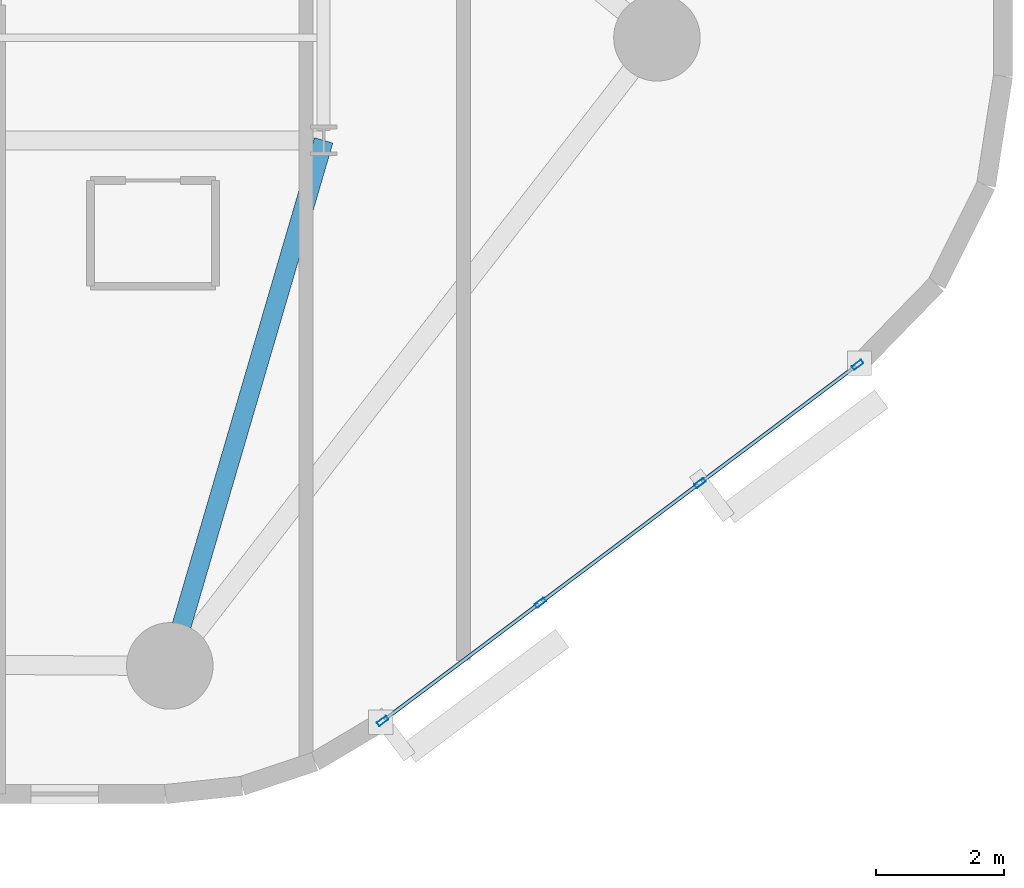
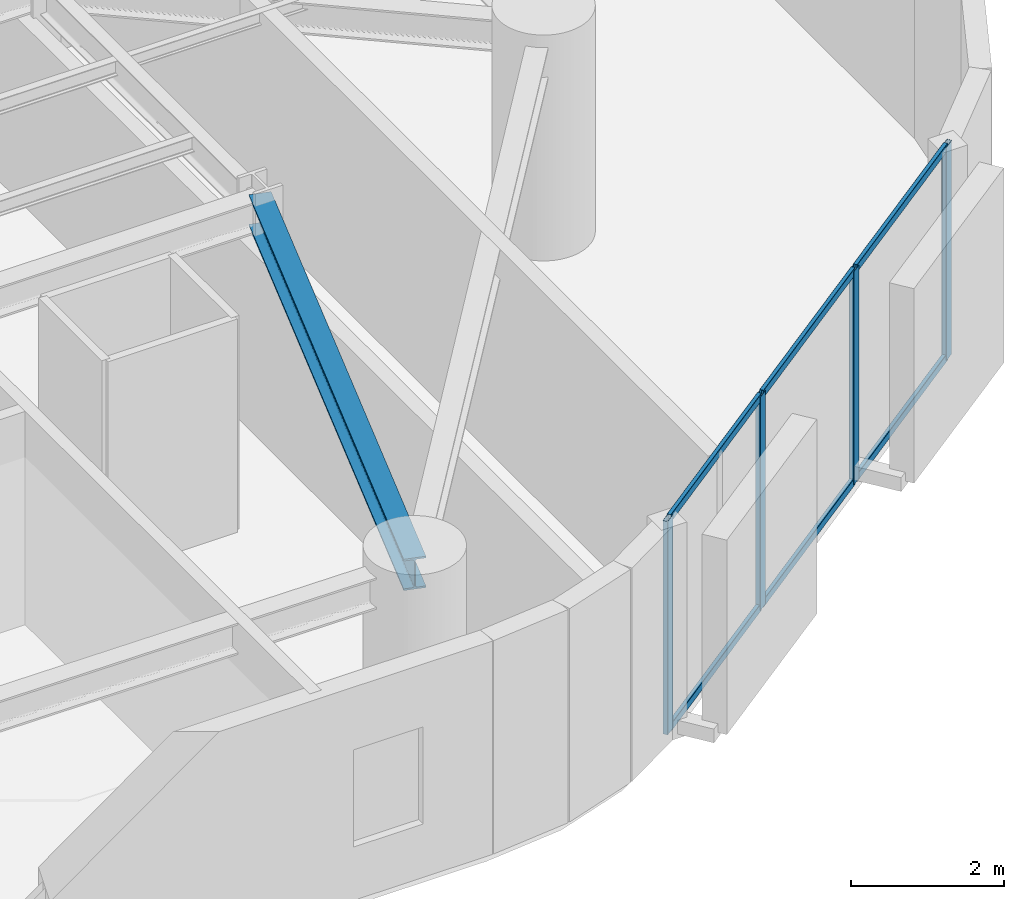
# One storey, part 2 of 14: 10 members, 1 beam, 1 element without a shape of its own.
"""IFC4 building model written with IfcOpenShell, lengths in metres."""

import ifcopenshell
import ifcopenshell.guid

model = None  # the IFC model being written
_history = None  # IfcOwnerHistory: only IFC2X3 demands one
_inside = {}  # id of a spatial element -> (the spatial element, [elements in it])
_under = {}  # id of a project, library or spatial element -> (it, [spatial elements below it])
_declared = {}  # id of a project -> (the project, [libraries it declares])
_typed = {}  # id of a type object -> (the type object, [elements of that type])
_made_of = {}  # id of a material, layer set ... -> (it, [elements and type objects made of it])


def new_model(schema):
    """Start an empty IFC model of exactly this schema.

    Asked for "IFC4X3", IfcOpenShell would pick the latest addendum, in which some entities
    have other attributes; the version numbers below select the first issue.
    IFC2X3 requires an IfcOwnerHistory on every rooted entity: one is made here for all.
    """
    global model, _history
    if schema == "IFC4X3":
        model = ifcopenshell.file(schema_version=(4, 3, 0, 0))
    else:
        model = ifcopenshell.file(schema=schema)
    _inside.clear()
    _under.clear()
    _declared.clear()
    _typed.clear()
    _made_of.clear()
    _history = None
    if model.schema == "IFC2X3":
        org = make("IfcOrganization", Name="unknown")
        user = make(
            "IfcPersonAndOrganization",
            ThePerson=make("IfcPerson", FamilyName="unknown"),
            TheOrganization=org,
        )
        app = make(
            "IfcApplication",
            ApplicationDeveloper=org,
            Version="unknown",
            ApplicationFullName="unknown",
            ApplicationIdentifier="unknown",
        )
        _history = make(
            "IfcOwnerHistory",
            OwningUser=user,
            OwningApplication=app,
            ChangeAction="ADDED",
            CreationDate=0,
        )
    return model


def make(cls, **values):
    """One entity of the class cls with the attributes given. An attribute that is None is left unset."""
    return model.create_entity(
        cls, **{name: value for name, value in values.items() if value is not None}
    )


def rooted(cls, **values):
    """An entity with a GlobalId (a new one), such as an element, a storey or a relation."""
    return make(cls, GlobalId=ifcopenshell.guid.new(), OwnerHistory=_history, **values)


def si_unit(unit_type, name, prefix=None):
    """IfcSIUnit, for example si_unit("LENGTHUNIT", "METRE", prefix="MILLI")."""
    return make("IfcSIUnit", UnitType=unit_type, Prefix=prefix, Name=name)


def assignment(units):
    """IfcUnitAssignment: the units of a project."""
    return None if units is None else make("IfcUnitAssignment", Units=units)


def point(xyz):
    """IfcCartesianPoint."""
    return None if xyz is None else make("IfcCartesianPoint", Coordinates=xyz)


def direction(xyz):
    """IfcDirection."""
    return None if xyz is None else make("IfcDirection", DirectionRatios=xyz)


def frame(location, z_axis=None, x_axis=None):
    """IfcAxis2Placement3D, a coordinate frame: its origin and axes. An axis left out is left unset."""
    return make(
        "IfcAxis2Placement3D",
        Location=point(location),
        Axis=direction(z_axis),
        RefDirection=direction(x_axis),
    )


def frame_2d(location, x_axis=None):
    """IfcAxis2Placement2D, a coordinate frame in the plane: its origin and x axis."""
    return make(
        "IfcAxis2Placement2D", Location=point(location), RefDirection=direction(x_axis)
    )


def origin():
    """The frame at (0, 0, 0) with its axes left unset."""
    return frame((0.0, 0.0, 0.0))


def origin_2d():
    """The frame at (0, 0) in the plane with its x axis left unset."""
    return frame_2d((0.0, 0.0))


def place(relative_to, where):
    """IfcLocalPlacement: puts the frame where relative to a parent placement (None: the world)."""
    return make(
        "IfcLocalPlacement", PlacementRelTo=relative_to, RelativePlacement=where
    )


def context(
    kind, dimensions, precision=None, world=None, true_north=None, identifier=None
):
    """IfcGeometricRepresentationContext, for example the 3D "Model" context."""
    return make(
        "IfcGeometricRepresentationContext",
        ContextIdentifier=identifier,
        ContextType=kind,
        CoordinateSpaceDimension=dimensions,
        Precision=precision,
        WorldCoordinateSystem=world,
        TrueNorth=true_north,
    )


def subcontext(parent, identifier, kind, view, scale=None):
    """IfcGeometricRepresentationSubContext, for example "Body" below "Model"."""
    return make(
        "IfcGeometricRepresentationSubContext",
        ContextIdentifier=identifier,
        ContextType=kind,
        ParentContext=parent,
        TargetScale=scale,
        TargetView=view,
    )


def project(units=None, contexts=None):
    """IfcProject with its units and contexts."""
    return rooted(
        "IfcProject",
        Name="project",
        RepresentationContexts=contexts,
        UnitsInContext=assignment(units),
    )


def spatial(cls, under=None, at=None, **own):
    """A site, building, storey or space (cls), placed at a placement, below another one or the project."""
    s = rooted(cls, ObjectPlacement=at, **own)
    if under is not None:
        _under.setdefault(under.id(), (under, []))[1].append(s)
    return s


def profile(cls, at=None, kind="AREA", **sizes):
    """A parametric profile (cls). Its sizes go by their IFC names, for example OverallWidth=200.0."""
    return make(cls, ProfileType=kind, Position=at, **sizes)


def hollow_rectangle(**sizes):
    """IfcRectangleHollowProfileDef."""
    return profile("IfcRectangleHollowProfileDef", **sizes)


def i_section(**sizes):
    """IfcIShapeProfileDef."""
    return profile("IfcIShapeProfileDef", **sizes)


def extrude(swept, where, along, depth):
    """IfcExtrudedAreaSolid: the profile swept, set in the frame where, extruded along a direction by depth."""
    return make(
        "IfcExtrudedAreaSolid",
        SweptArea=swept,
        Position=where,
        ExtrudedDirection=direction(along),
        Depth=depth,
    )


def shape(context_of_items, identifier, shape_type, items):
    """IfcShapeRepresentation: the items that make up one representation, for example the "Body"."""
    return make(
        "IfcShapeRepresentation",
        ContextOfItems=context_of_items,
        RepresentationIdentifier=identifier,
        RepresentationType=shape_type,
        Items=items,
    )


def material(Name=None, Category=None):
    """IfcMaterial."""
    return make("IfcMaterial", Name=Name, Category=Category)


def layer(
    of_material, thickness, ventilated=None, Name=None, Category=None, Priority=None
):
    """IfcMaterialLayer: one layer of a wall or slab, of a material (None: an air gap)."""
    return make(
        "IfcMaterialLayer",
        Material=of_material,
        LayerThickness=thickness,
        IsVentilated=ventilated,
        Name=Name,
        Category=Category,
        Priority=Priority,
    )


def layer_set(layers, Name=None):
    """IfcMaterialLayerSet."""
    return make("IfcMaterialLayerSet", MaterialLayers=layers, LayerSetName=Name)


def material_profile(
    of_material, cross_section, Name=None, Category=None, Priority=None
):
    """IfcMaterialProfile: a cross section and its material."""
    return make(
        "IfcMaterialProfile",
        Name=Name,
        Material=of_material,
        Profile=cross_section,
        Priority=Priority,
        Category=Category,
    )


def profile_set(profiles, Name=None, composite=None):
    """IfcMaterialProfileSet."""
    return make(
        "IfcMaterialProfileSet",
        Name=Name,
        MaterialProfiles=profiles,
        CompositeProfile=composite,
    )


def made_of(thing, what):
    """Note that an element or type object is made of a material, layer set ...; save() writes the relation."""
    if what is not None:
        _made_of.setdefault(what.id(), (what, []))[1].append(thing)
    return thing


def type_object(cls, material=None, **own):
    """A type object (cls), such as IfcWallType, which elements share."""
    return made_of(rooted(cls, **own), material)


def element(
    cls,
    number,
    at=None,
    inside=None,
    cuts=None,
    type_object=None,
    material=None,
    context=None,
    identifier="Body",
    shape_type=None,
    held_by="IfcProductDefinitionShape",
    body=None,
    shapes=None,
    **own,
):
    """One element of the class cls, such as IfcWall. Its Tag is "e" and its number.

    at: its placement. inside: the storey or other place that contains it. cuts: it is an
    opening in that element (IfcRelVoidsElement). A single representation is given by context,
    identifier, shape_type and body (its items); several are given by shapes. held_by: the class
    of the entity that holds the representations. save() writes the other relations.
    """
    e = rooted(cls, Tag="e%d" % number, ObjectPlacement=at, **own)
    if body is not None:
        shapes = [shape(context, identifier, shape_type, body)]
    if shapes is not None:
        e.Representation = make(held_by, Representations=shapes)
    if inside is not None:
        _inside.setdefault(inside.id(), (inside, []))[1].append(e)
    if cuts is not None:
        rooted(
            "IfcRelVoidsElement", RelatingBuildingElement=cuts, RelatedOpeningElement=e
        )
    if type_object is not None:
        _typed.setdefault(type_object.id(), (type_object, []))[1].append(e)
    return made_of(e, material)


def aggregate(whole, parts):
    """IfcRelAggregates: a whole, such as a stair, and the parts it consists of."""
    return rooted("IfcRelAggregates", RelatingObject=whole, RelatedObjects=parts)


def save(model, path):
    """Write the relations noted so far, then the file.

    IfcRelAggregates (storeys below a building ...), IfcRelContainedInSpatialStructure (elements
    in a storey), IfcRelDefinesByType, IfcRelAssociatesMaterial and IfcRelDeclares: one each for
    every whole, place, type object, material and project.
    """
    for whole, parts in _under.values():
        aggregate(whole, parts)
    for where, things in _inside.values():
        rooted(
            "IfcRelContainedInSpatialStructure",
            RelatedElements=things,
            RelatingStructure=where,
        )
    for kind, things in _typed.values():
        rooted("IfcRelDefinesByType", RelatedObjects=things, RelatingType=kind)
    for what, things in _made_of.values():
        rooted("IfcRelAssociatesMaterial", RelatedObjects=things, RelatingMaterial=what)
    for by, libraries in _declared.values():
        rooted("IfcRelDeclares", RelatingContext=by, RelatedDefinitions=libraries)
    model.write(path)


model = new_model("IFC4")

# Units and contexts
model_context = context("Model", 3, precision=1e-05, world=origin(), true_north=direction((0.0, 1.0)))
body_context = subcontext(model_context, "Body", "Model", "MODEL_VIEW")
ifc_project = project(units=[si_unit("LENGTHUNIT", "METRE"), si_unit("AREAUNIT", "SQUARE_METRE"), si_unit("VOLUMEUNIT", "CUBIC_METRE"), si_unit("PLANEANGLEUNIT", "RADIAN"), si_unit("MASSUNIT", "GRAM", prefix="KILO")], contexts=[model_context])

# Site, building, storey
site_placement = place(None, origin())
site = spatial("IfcSite", under=ifc_project, at=site_placement, CompositionType="ELEMENT")
building_placement = place(site_placement, origin())
building = spatial("IfcBuilding", under=site, at=building_placement, Name="An Khanh Terracotta Commons", CompositionType="ELEMENT")
storey_placement = place(building_placement, frame((0.0, 0.0, 93.5)))
storey = spatial("IfcBuildingStorey", under=building, at=storey_placement, Name="L24", CompositionType="ELEMENT", Elevation=93.5)

# Beam
ifc_material_1 = material(Name="Steel S355J2", Category="steel")
ifc_material_profile_1 = material_profile(ifc_material_1, i_section(OverallWidth=0.300048828125, OverallDepth=0.5, WebThickness=0.014404296875, FlangeThickness=0.028076171875, FilletRadius=0.027099609375, at=origin_2d()), Name="HEB500")
ifc_profile_set_1 = profile_set([ifc_material_profile_1], Name="Steel S355J2")
beam_type = type_object("IfcBeamType", Name="BM-HEB500", PredefinedType="BEAM", material=ifc_profile_set_1)
beam_placement = place(storey_placement, frame((44.39990234375, 6.199951171875, 3.14990234375), z_axis=(0.280916085823, 0.959732333896, 0.0), x_axis=(-0.959732333896, 0.280916085823, 0.0)))
element("IfcBeam", 1, at=beam_placement, inside=storey, type_object=beam_type, Name="L24 Mega-Column Tie Girder 2", PredefinedType="BEAM", context=body_context, shape_type="SweptSolid", body=[
    extrude(i_section(OverallWidth=0.300048828125, OverallDepth=0.5, WebThickness=0.014404296875, FlangeThickness=0.028076171875, FilletRadius=0.027099609375, at=origin_2d()), origin(), (0.0, 0.0, 1.0), 8.5439453125),
])

# Curtain wall, members
ifc_material_2 = material(Name="Anodised Aluminium 6063-T6", Category="aluminium")
ifc_layer = layer(ifc_material_2, 0.199951171875, Name="Anodised Aluminium 6063-T6")
ifc_layer_set = layer_set([ifc_layer], Name="Anodised Aluminium 6063-T6")
curtain_wall_type = type_object("IfcCurtainWallType", Name="CW-SYS-02", PredefinedType="USERDEFINED", material=ifc_layer_set)
curtain_wall_placement = place(storey_placement, origin())
curtain_wall = element("IfcCurtainWall", 2, at=curtain_wall_placement, inside=storey, type_object=curtain_wall_type, Name="L24 CW-02 Unitised Curtain Wall CW-L24-08", ObjectType="UNITISED CURTAIN WALL", PredefinedType="USERDEFINED")
ifc_material_profile_2 = material_profile(ifc_material_2, hollow_rectangle(XDim=0.070068359375, YDim=0.179931640625, WallThickness=0.00390625, InnerFilletRadius=0.00390625, OuterFilletRadius=0.008056640625, at=origin_2d()), Name="RHS180x70x4")
ifc_profile_set_2 = profile_set([ifc_material_profile_2], Name="Anodised Aluminium 6063-T6")
member_type_1 = type_object("IfcMemberType", Name="CWM-RHS180x70x4", PredefinedType="MULLION", material=ifc_profile_set_2)
member_1_placement = place(storey_placement, frame((47.720947265625, 5.341064453125, 0.0), z_axis=(0.0, 0.0, 1.0), x_axis=(-0.599982857492, 0.800012856594, 0.0)))
member_1 = element("IfcMember", 3, at=member_1_placement, type_object=member_type_1, Name="CW-02 mullion 1", PredefinedType="MULLION", context=body_context, shape_type="SweptSolid", body=[
    extrude(hollow_rectangle(XDim=0.070068359375, YDim=0.179931640625, WallThickness=0.00390625, InnerFilletRadius=0.00390625, OuterFilletRadius=0.008056640625, at=origin_2d()), origin(), (0.0, 0.0, 1.0), 3.39990234375),
])
member_2_placement = place(storey_placement, frame((50.181884765625, 7.186767578125, 0.0), z_axis=(0.0, 0.0, 1.0), x_axis=(-0.599982857492, 0.800012856594, 0.0)))
member_2 = element("IfcMember", 4, at=member_2_placement, type_object=member_type_1, Name="CW-02 mullion 2", PredefinedType="MULLION", context=body_context, shape_type="SweptSolid", body=[
    extrude(hollow_rectangle(XDim=0.070068359375, YDim=0.179931640625, WallThickness=0.00390625, InnerFilletRadius=0.00390625, OuterFilletRadius=0.008056640625, at=origin_2d()), origin(), (0.0, 0.0, 1.0), 3.39990234375),
])
member_3_placement = place(storey_placement, frame((52.6708984375, 9.05322265625, 0.0), z_axis=(0.0, 0.0, 1.0), x_axis=(-0.599982857492, 0.800012856594, 0.0)))
member_3 = element("IfcMember", 5, at=member_3_placement, type_object=member_type_1, Name="CW-02 mullion 3", PredefinedType="MULLION", context=body_context, shape_type="SweptSolid", body=[
    extrude(hollow_rectangle(XDim=0.070068359375, YDim=0.179931640625, WallThickness=0.00390625, InnerFilletRadius=0.00390625, OuterFilletRadius=0.008056640625, at=origin_2d()), origin(), (0.0, 0.0, 1.0), 3.39990234375),
])
member_4_placement = place(storey_placement, frame((55.132080078125, 10.89892578125, 0.0), z_axis=(0.0, 0.0, 1.0), x_axis=(-0.599982857492, 0.800012856594, 0.0)))
member_4 = element("IfcMember", 6, at=member_4_placement, type_object=member_type_1, Name="CW-02 mullion 4", PredefinedType="MULLION", context=body_context, shape_type="SweptSolid", body=[
    extrude(hollow_rectangle(XDim=0.070068359375, YDim=0.179931640625, WallThickness=0.00390625, InnerFilletRadius=0.00390625, OuterFilletRadius=0.008056640625, at=origin_2d()), origin(), (0.0, 0.0, 1.0), 3.39990234375),
])
ifc_material_profile_3 = material_profile(ifc_material_2, hollow_rectangle(XDim=0.06005859375, YDim=0.1201171875, WallThickness=0.003662109375, InnerFilletRadius=0.003662109375, OuterFilletRadius=0.007080078125, at=origin_2d()), Name="RHS120x60x3.6")
ifc_profile_set_3 = profile_set([ifc_material_profile_3], Name="Anodised Aluminium 6063-T6")
member_type_2 = type_object("IfcMemberType", Name="CWT-RHS120x60x3.6", PredefinedType="USERDEFINED", material=ifc_profile_set_3)
member_5_placement = place(storey_placement, frame((47.7490234375, 5.362060546875, 0.030029296875), z_axis=(0.800009745217, 0.599987006158, 0.0), x_axis=(-0.599987006158, 0.800009745217, 0.0)))
member_5 = element("IfcMember", 7, at=member_5_placement, type_object=member_type_2, Name="CW-02 transom 1.1", ObjectType="TRANSOM", PredefinedType="USERDEFINED", context=body_context, shape_type="SweptSolid", body=[
    extrude(hollow_rectangle(XDim=0.06005859375, YDim=0.1201171875, WallThickness=0.003662109375, InnerFilletRadius=0.003662109375, OuterFilletRadius=0.007080078125, at=origin_2d()), origin(), (0.0, 0.0, 1.0), 3.00634765625),
])
member_6_placement = place(storey_placement, frame((47.7490234375, 5.362060546875, 3.3701171875), z_axis=(0.800009745217, 0.599987006158, 0.0), x_axis=(-0.599987006158, 0.800009745217, 0.0)))
member_6 = element("IfcMember", 8, at=member_6_placement, type_object=member_type_2, Name="CW-02 transom 1.2", ObjectType="TRANSOM", PredefinedType="USERDEFINED", context=body_context, shape_type="SweptSolid", body=[
    extrude(hollow_rectangle(XDim=0.06005859375, YDim=0.1201171875, WallThickness=0.003662109375, InnerFilletRadius=0.003662109375, OuterFilletRadius=0.007080078125, at=origin_2d()), origin(), (0.0, 0.0, 1.0), 3.00634765625),
])
member_7_placement = place(storey_placement, frame((50.2099609375, 7.207763671875, 0.030029296875), z_axis=(0.800057796972, 0.599922929638, 0.0), x_axis=(-0.599922929638, 0.800057796972, 0.0)))
member_7 = element("IfcMember", 9, at=member_7_placement, type_object=member_type_2, Name="CW-02 transom 2.1", ObjectType="TRANSOM", PredefinedType="USERDEFINED", context=body_context, shape_type="SweptSolid", body=[
    extrude(hollow_rectangle(XDim=0.06005859375, YDim=0.1201171875, WallThickness=0.003662109375, InnerFilletRadius=0.003662109375, OuterFilletRadius=0.007080078125, at=origin_2d()), origin(), (0.0, 0.0, 1.0), 3.041259765625),
])
member_8_placement = place(storey_placement, frame((50.2099609375, 7.207763671875, 3.3701171875), z_axis=(0.800057796972, 0.599922929638, 0.0), x_axis=(-0.599922929638, 0.800057796972, 0.0)))
member_8 = element("IfcMember", 10, at=member_8_placement, type_object=member_type_2, Name="CW-02 transom 2.2", ObjectType="TRANSOM", PredefinedType="USERDEFINED", context=body_context, shape_type="SweptSolid", body=[
    extrude(hollow_rectangle(XDim=0.06005859375, YDim=0.1201171875, WallThickness=0.003662109375, InnerFilletRadius=0.003662109375, OuterFilletRadius=0.007080078125, at=origin_2d()), origin(), (0.0, 0.0, 1.0), 3.041259765625),
])
member_9_placement = place(storey_placement, frame((52.698974609375, 9.07421875, 0.030029296875), z_axis=(0.800009745217, 0.599987006158, 0.0), x_axis=(-0.599987006158, 0.800009745217, 0.0)))
member_9 = element("IfcMember", 11, at=member_9_placement, type_object=member_type_2, Name="CW-02 transom 3.1", ObjectType="TRANSOM", PredefinedType="USERDEFINED", context=body_context, shape_type="SweptSolid", body=[
    extrude(hollow_rectangle(XDim=0.06005859375, YDim=0.1201171875, WallThickness=0.003662109375, InnerFilletRadius=0.003662109375, OuterFilletRadius=0.007080078125, at=origin_2d()), origin(), (0.0, 0.0, 1.0), 3.00634765625),
])
member_10_placement = place(storey_placement, frame((52.698974609375, 9.07421875, 3.3701171875), z_axis=(0.800009745217, 0.599987006158, 0.0), x_axis=(-0.599987006158, 0.800009745217, 0.0)))
member_10 = element("IfcMember", 12, at=member_10_placement, type_object=member_type_2, Name="CW-02 transom 3.2", ObjectType="TRANSOM", PredefinedType="USERDEFINED", context=body_context, shape_type="SweptSolid", body=[
    extrude(hollow_rectangle(XDim=0.06005859375, YDim=0.1201171875, WallThickness=0.003662109375, InnerFilletRadius=0.003662109375, OuterFilletRadius=0.007080078125, at=origin_2d()), origin(), (0.0, 0.0, 1.0), 3.00634765625),
])
aggregate(curtain_wall, [member_1, member_2, member_3, member_4, member_5, member_6, member_7, member_8, member_9, member_10])

save(model, "model.ifc")
